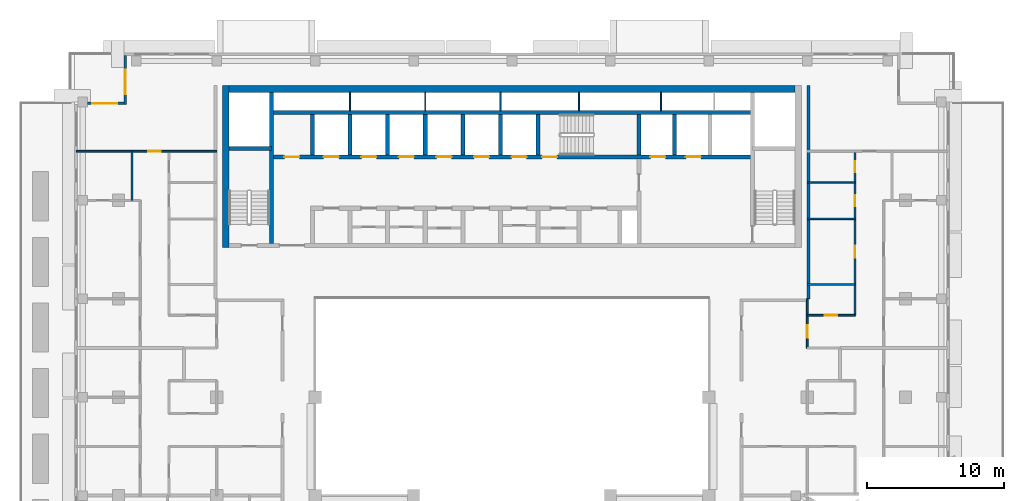
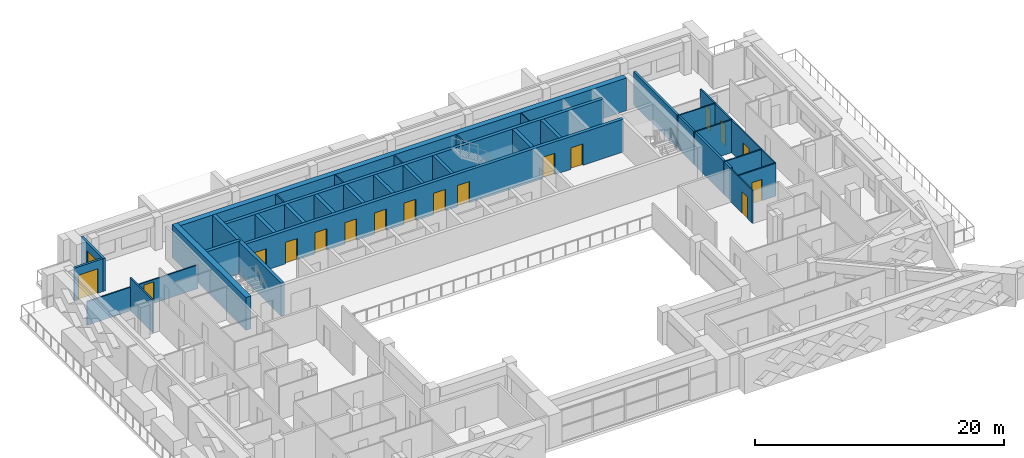
# One storey, part 10 of 19: 31 walls, 18 doors, 18 openings.
"""IFC4 building model written with IfcOpenShell, lengths in metres."""

from ifc_helpers import new_model, si_unit, direction, frame, frame_2d, origin, place, context, subcontext, project, spatial, rectangle, extrude, material, layer, layer_set, type_object, element, fill, save


model = new_model("IFC4")

# Units and contexts
model_context = context("Model", 3, precision=1e-05, world=origin(), true_north=direction((0.0, 1.0)))
body_context = subcontext(model_context, "Body", "Model", "MODEL_VIEW")
ifc_project = project(units=[si_unit("LENGTHUNIT", "METRE"), si_unit("AREAUNIT", "SQUARE_METRE"), si_unit("VOLUMEUNIT", "CUBIC_METRE"), si_unit("PLANEANGLEUNIT", "RADIAN"), si_unit("MASSUNIT", "GRAM", prefix="KILO")], contexts=[model_context])

# Site, building, storey
site_placement = place(None, origin())
site = spatial("IfcSite", under=ifc_project, at=site_placement, CompositionType="ELEMENT")
building_placement = place(site_placement, origin())
building = spatial("IfcBuilding", under=site, at=building_placement, Name="Saffron Iwan Residences", CompositionType="ELEMENT")
storey_placement = place(building_placement, frame((0.0, 0.0, 211.5)))
storey = spatial("IfcBuildingStorey", under=building, at=storey_placement, Name="L56", CompositionType="ELEMENT", Elevation=211.5)

# Wall, opening, door
ifc_material_1 = material(Name="Concrete C40/50", Category="concrete")
ifc_layer_1 = layer(ifc_material_1, 0.199951171875)
ifc_layer_set_1 = layer_set([ifc_layer_1], Name="Concrete C40/50")
wall_type_1 = type_object("IfcWallType", Name="EXTERNAL WALL 200", PredefinedType="SOLIDWALL", material=ifc_layer_set_1)
wall_1_placement = place(storey_placement, frame((22.10009765625, 80.199951171875, 0.0), z_axis=(0.0, 0.0, 1.0), x_axis=(0.0, -1.0, 0.0)))
wall_1 = element("IfcWall", 1, at=wall_1_placement, inside=storey, type_object=wall_type_1, Name="External wall L56 F6.0", PredefinedType="SOLIDWALL", context=body_context, shape_type="SweptSolid", body=[
    extrude(rectangle(XDim=3.599853515625, YDim=0.199951171875, at=frame_2d((1.7998046875, 0.0))), origin(), (0.0, 0.0, 1.0), 3.219970703125),
])
opening_1_placement = place(wall_1_placement, frame((1.02490234375, 0.0, 0.0)))
opening_1 = element("IfcOpeningElement", 2, at=opening_1_placement, cuts=wall_1, Name="Opening BD1", PredefinedType="OPENING", context=body_context, shape_type="SweptSolid", body=[
    extrude(rectangle(XDim=1.800048828125, YDim=2.39990234375, at=frame_2d((0.89990234375, 1.199951171875))), frame((0.0, 0.10986328125, 0.0), z_axis=(0.0, -1.0, 0.0), x_axis=(1.0, 0.0, 0.0)), (0.0, 0.0, 1.0), 0.219970703125),
])
ifc_material_2 = material(Name="Clear glass, laminated double glazed", Category="glass")
door_type_1 = type_object("IfcDoorType", Name="BALCONY DOOR 1800 x 2400", OperationType="DOUBLE_DOOR_SLIDING", PredefinedType="DOOR", material=ifc_material_2)
door_1_placement = place(opening_1_placement, origin())
door_1 = element("IfcDoor", 3, at=door_1_placement, inside=storey, type_object=door_type_1, Name="Balcony door L56 F6.0", OperationType="DOUBLE_DOOR_SLIDING", OverallHeight=2.39990234375, OverallWidth=1.800048828125, PredefinedType="DOOR", context=body_context, shape_type="SweptSolid", body=[
    extrude(rectangle(XDim=1.800048828125, YDim=2.39990234375, at=frame_2d((0.89990234375, 1.199951171875))), frame((0.0, 0.02490234375, 0.0), z_axis=(0.0, -1.0, 0.0), x_axis=(1.0, 0.0, 0.0)), (0.0, 0.0, 1.0), 0.050048828125),
])
fill(opening_1, door_1)

wall_2_placement = place(storey_placement, frame((22.0, 76.699951171875, 0.0), z_axis=(0.0, 0.0, 1.0), x_axis=(-1.0, 0.0, 0.0)))
wall_2 = element("IfcWall", 4, at=wall_2_placement, inside=storey, type_object=wall_type_1, Name="External wall L56 F7.0", PredefinedType="SOLIDWALL", context=body_context, shape_type="SweptSolid", body=[
    extrude(rectangle(XDim=2.64990234375, YDim=0.199951171875, at=frame_2d((1.324951171875, 0.0))), origin(), (0.0, 0.0, 1.0), 3.219970703125),
])
opening_2_placement = place(wall_2_placement, frame((0.5, 0.0, 0.0)))
opening_2 = element("IfcOpeningElement", 5, at=opening_2_placement, cuts=wall_2, Name="Opening BD1", PredefinedType="OPENING", context=body_context, shape_type="SweptSolid", body=[
    extrude(rectangle(XDim=1.800048828125, YDim=2.39990234375, at=frame_2d((0.89990234375, 1.199951171875))), frame((0.0, 0.10986328125, 0.0), z_axis=(0.0, -1.0, 0.0), x_axis=(1.0, 0.0, 0.0)), (0.0, 0.0, 1.0), 0.219970703125),
])
door_2_placement = place(opening_2_placement, origin())
door_2 = element("IfcDoor", 6, at=door_2_placement, inside=storey, type_object=door_type_1, Name="Balcony door L56 F7.0", OperationType="DOUBLE_DOOR_SLIDING", OverallHeight=2.39990234375, OverallWidth=1.800048828125, PredefinedType="DOOR", context=body_context, shape_type="SweptSolid", body=[
    extrude(rectangle(XDim=1.800048828125, YDim=2.39990234375, at=frame_2d((0.89990234375, 1.199951171875))), frame((0.0, 0.02490234375, 0.0), z_axis=(0.0, -1.0, 0.0), x_axis=(1.0, 0.0, 0.0)), (0.0, 0.0, 1.0), 0.050048828125),
])
fill(opening_2, door_2)

ifc_material_3 = material(Name="Gypsum board partition")
ifc_layer_2 = layer(ifc_material_3, 0.1201171875)
ifc_layer_set_2 = layer_set([ifc_layer_2], Name="Gypsum board partition")
wall_type_2 = type_object("IfcWallType", Name="Flat partition 120", PredefinedType="PARTITIONING", material=ifc_layer_set_2)
wall_3_placement = place(storey_placement, frame((72.0, 61.199951171875, 0.0), z_axis=(0.0, 0.0, 1.0), x_axis=(1.0, 0.0, 0.0)))
wall_3 = element("IfcWall", 7, at=wall_3_placement, inside=storey, type_object=wall_type_2, Name="W-L56-PART-h61.2-72", PredefinedType="PARTITIONING", context=body_context, shape_type="SweptSolid", body=[
    extrude(rectangle(XDim=3.5, YDim=0.1201171875, at=frame_2d((1.75, 0.0))), origin(), (0.0, 0.0, 1.0), 3.219970703125),
])
opening_3_placement = place(wall_3_placement, frame((1.300048828125, 0.0, 0.0)))
opening_3 = element("IfcOpeningElement", 8, at=opening_3_placement, cuts=wall_3, Name="Opening FD2", PredefinedType="OPENING", context=body_context, shape_type="SweptSolid", body=[
    extrude(rectangle(XDim=0.89990234375, YDim=2.10009765625, at=frame_2d((0.449951171875, 1.050048828125))), frame((0.0, 0.070068359375, 0.0), z_axis=(0.0, -1.0, 0.0), x_axis=(1.0, 0.0, 0.0)), (0.0, 0.0, 1.0), 0.14013671875),
])
ifc_material_4 = material(Name="Timber door", Category="wood")
door_type_2 = type_object("IfcDoorType", Name="Flat door 900", OperationType="NOTDEFINED", PredefinedType="DOOR", material=ifc_material_4)
door_3_placement = place(opening_3_placement, origin())
door_3 = element("IfcDoor", 9, at=door_3_placement, inside=storey, type_object=door_type_2, Name="Door L56-036", OperationType="SINGLE_SWING_LEFT", OverallHeight=2.10009765625, OverallWidth=0.89990234375, PredefinedType="DOOR", context=body_context, shape_type="SweptSolid", body=[
    extrude(rectangle(XDim=0.89990234375, YDim=2.10009765625, at=frame_2d((0.449951171875, 1.050048828125))), frame((0.0, 0.02490234375, 0.0), z_axis=(0.0, -1.0, 0.0), x_axis=(1.0, 0.0, 0.0)), (0.0, 0.0, 1.0), 0.050048828125),
])
fill(opening_3, door_3)

# Walls
for number, where, z_axis, x_axis, name in (
    (10, (72.0, 63.449951171875, 0.0), (0.0, 0.0, 1.0), (1.0, 0.0, 0.0), "W-L56-PART-h63.45-72"),
    (11, (72.0, 68.25, 0.0), (0.0, 0.0, 1.0), (1.0, 0.0, 0.0), "W-L56-PART-h68.25-72"),
    (12, (72.0, 70.89990234375, 0.0), (0.0, 0.0, 1.0), (1.0, 0.0, 0.0), "W-L56-PART-h70.9-72"),
):
    element("IfcWall", number, at=place(storey_placement, frame(where, z_axis=z_axis, x_axis=x_axis)), inside=storey, type_object=wall_type_2, Name=name, PredefinedType="PARTITIONING", context=body_context, shape_type="SweptSolid", body=[
        extrude(rectangle(XDim=3.5, YDim=0.1201171875, at=frame_2d((1.75, 0.0))), origin(), (0.0, 0.0, 1.0), 3.219970703125),
    ])

# Wall, opening, door
wall_4_placement = place(storey_placement, frame((18.52490234375, 73.199951171875, 0.0), z_axis=(0.0, 0.0, 1.0), x_axis=(1.0, 0.0, 0.0)))
wall_4 = element("IfcWall", 13, at=wall_4_placement, inside=storey, type_object=wall_type_2, Name="W-L56-PART-h73.2-18.525", PredefinedType="PARTITIONING", context=body_context, shape_type="SweptSolid", body=[
    extrude(rectangle(XDim=10.275146484375, YDim=0.1201171875, at=frame_2d((5.1376953125, 0.0))), origin(), (0.0, 0.0, 1.0), 2.320068359375),
])
opening_4_placement = place(wall_4_placement, frame((5.27490234375, 0.0, 0.0)))
opening_4 = element("IfcOpeningElement", 14, at=opening_4_placement, cuts=wall_4, Name="Opening FD2", PredefinedType="OPENING", context=body_context, shape_type="SweptSolid", body=[
    extrude(rectangle(XDim=0.89990234375, YDim=2.10009765625, at=frame_2d((0.449951171875, 1.050048828125))), frame((0.0, 0.070068359375, 0.0), z_axis=(0.0, -1.0, 0.0), x_axis=(1.0, 0.0, 0.0)), (0.0, 0.0, 1.0), 0.14013671875),
])
door_4_placement = place(opening_4_placement, origin())
door_4 = element("IfcDoor", 15, at=door_4_placement, inside=storey, type_object=door_type_2, Name="Door L56-025", OperationType="SINGLE_SWING_LEFT", OverallHeight=2.10009765625, OverallWidth=0.89990234375, PredefinedType="DOOR", context=body_context, shape_type="SweptSolid", body=[
    extrude(rectangle(XDim=0.89990234375, YDim=2.10009765625, at=frame_2d((0.449951171875, 1.050048828125))), frame((0.0, 0.02490234375, 0.0), z_axis=(0.0, -1.0, 0.0), x_axis=(1.0, 0.0, 0.0)), (0.0, 0.0, 1.0), 0.050048828125),
])
fill(opening_4, door_4)

# Wall
wall_5_placement = place(storey_placement, frame((22.60009765625, 69.60009765625, 0.0), z_axis=(0.0, 0.0, 1.0), x_axis=(0.0, 1.0, 0.0)))
element("IfcWall", 16, at=wall_5_placement, inside=storey, type_object=wall_type_2, Name="W-L56-PART-v22.6-69.6", PredefinedType="PARTITIONING", context=body_context, shape_type="SweptSolid", body=[
    extrude(rectangle(XDim=3.599853515625, YDim=0.1201171875, at=frame_2d((1.7998046875, 0.0))), origin(), (0.0, 0.0, 1.0), 3.219970703125),
])

# Wall, opening, door
wall_6_placement = place(storey_placement, frame((72.0, 58.800048828125, 0.0), z_axis=(0.0, 0.0, 1.0), x_axis=(0.0, 1.0, 0.0)))
wall_6 = element("IfcWall", 17, at=wall_6_placement, inside=storey, type_object=wall_type_2, Name="W-L56-PART-v72-58.8", PredefinedType="PARTITIONING", context=body_context, shape_type="SweptSolid", body=[
    extrude(rectangle(XDim=3.599853515625, YDim=0.1201171875, at=frame_2d((1.7998046875, 0.0))), origin(), (0.0, 0.0, 1.0), 3.219970703125),
])
opening_5_placement = place(wall_6_placement, frame((0.75, 0.0, 0.0)))
opening_5 = element("IfcOpeningElement", 18, at=opening_5_placement, cuts=wall_6, Name="Opening FD2", PredefinedType="OPENING", context=body_context, shape_type="SweptSolid", body=[
    extrude(rectangle(XDim=0.89990234375, YDim=2.10009765625, at=frame_2d((0.449951171875, 1.050048828125))), frame((0.0, 0.070068359375, 0.0), z_axis=(0.0, -1.0, 0.0), x_axis=(1.0, 0.0, 0.0)), (0.0, 0.0, 1.0), 0.14013671875),
])
door_5_placement = place(opening_5_placement, origin())
door_5 = element("IfcDoor", 19, at=door_5_placement, inside=storey, type_object=door_type_2, Name="Door L56-030", OperationType="SINGLE_SWING_LEFT", OverallHeight=2.10009765625, OverallWidth=0.89990234375, PredefinedType="DOOR", context=body_context, shape_type="SweptSolid", body=[
    extrude(rectangle(XDim=0.89990234375, YDim=2.10009765625, at=frame_2d((0.449951171875, 1.050048828125))), frame((0.0, 0.02490234375, 0.0), z_axis=(0.0, -1.0, 0.0), x_axis=(1.0, 0.0, 0.0)), (0.0, 0.0, 1.0), 0.050048828125),
])
fill(opening_5, door_5)

# Wall, openings, doors
wall_7_placement = place(storey_placement, frame((75.5, 61.199951171875, 0.0), z_axis=(0.0, 0.0, 1.0), x_axis=(0.0, 1.0, 0.0)))
wall_7 = element("IfcWall", 20, at=wall_7_placement, inside=storey, type_object=wall_type_2, Name="W-L56-PART-v75.5-61.2", PredefinedType="PARTITIONING", context=body_context, shape_type="SweptSolid", body=[
    extrude(rectangle(XDim=12.0, YDim=0.1201171875, at=frame_2d((6.0, 0.0))), origin(), (0.0, 0.0, 1.0), 3.219970703125),
])
opening_6_placement = place(wall_7_placement, frame((4.199951171875, 0.0, 0.0)))
opening_6 = element("IfcOpeningElement", 21, at=opening_6_placement, cuts=wall_7, Name="Opening FD2", PredefinedType="OPENING", context=body_context, shape_type="SweptSolid", body=[
    extrude(rectangle(XDim=0.89990234375, YDim=2.10009765625, at=frame_2d((0.449951171875, 1.050048828125))), frame((0.0, 0.070068359375, 0.0), z_axis=(0.0, -1.0, 0.0), x_axis=(1.0, 0.0, 0.0)), (0.0, 0.0, 1.0), 0.14013671875),
])
opening_7_placement = place(wall_7_placement, frame((7.97509765625, 0.0, 0.0)))
opening_7 = element("IfcOpeningElement", 22, at=opening_7_placement, cuts=wall_7, Name="Opening FD3", PredefinedType="OPENING", context=body_context, shape_type="SweptSolid", body=[
    extrude(rectangle(XDim=0.800048828125, YDim=2.10009765625, at=frame_2d((0.39990234375, 1.050048828125))), frame((0.0, 0.070068359375, 0.0), z_axis=(0.0, -1.0, 0.0), x_axis=(1.0, 0.0, 0.0)), (0.0, 0.0, 1.0), 0.14013671875),
])
opening_8_placement = place(wall_7_placement, frame((10.449951171875, 0.0, 0.0)))
opening_8 = element("IfcOpeningElement", 23, at=opening_8_placement, cuts=wall_7, Name="Opening FD3", PredefinedType="OPENING", context=body_context, shape_type="SweptSolid", body=[
    extrude(rectangle(XDim=0.800048828125, YDim=2.10009765625, at=frame_2d((0.39990234375, 1.050048828125))), frame((0.0, 0.070068359375, 0.0), z_axis=(0.0, -1.0, 0.0), x_axis=(1.0, 0.0, 0.0)), (0.0, 0.0, 1.0), 0.14013671875),
])
door_type_3 = type_object("IfcDoorType", Name="Bathroom door 800", OperationType="NOTDEFINED", PredefinedType="DOOR", material=ifc_material_4)
door_6_placement = place(opening_7_placement, origin())
door_6 = element("IfcDoor", 24, at=door_6_placement, inside=storey, type_object=door_type_3, Name="Door L56-038", OperationType="SINGLE_SWING_RIGHT", OverallHeight=2.10009765625, OverallWidth=0.800048828125, PredefinedType="DOOR", context=body_context, shape_type="SweptSolid", body=[
    extrude(rectangle(XDim=0.800048828125, YDim=2.10009765625, at=frame_2d((0.39990234375, 1.050048828125))), frame((0.0, 0.02490234375, 0.0), z_axis=(0.0, -1.0, 0.0), x_axis=(1.0, 0.0, 0.0)), (0.0, 0.0, 1.0), 0.050048828125),
])
fill(opening_7, door_6)
door_7_placement = place(opening_8_placement, origin())
door_7 = element("IfcDoor", 25, at=door_7_placement, inside=storey, type_object=door_type_3, Name="Door L56-039", OperationType="SINGLE_SWING_LEFT", OverallHeight=2.10009765625, OverallWidth=0.800048828125, PredefinedType="DOOR", context=body_context, shape_type="SweptSolid", body=[
    extrude(rectangle(XDim=0.800048828125, YDim=2.10009765625, at=frame_2d((0.39990234375, 1.050048828125))), frame((0.0, 0.02490234375, 0.0), z_axis=(0.0, -1.0, 0.0), x_axis=(1.0, 0.0, 0.0)), (0.0, 0.0, 1.0), 0.050048828125),
])
fill(opening_8, door_7)
door_8_placement = place(opening_6_placement, origin())
door_8 = element("IfcDoor", 26, at=door_8_placement, inside=storey, type_object=door_type_2, Name="Door L56-037", OperationType="SINGLE_SWING_LEFT", OverallHeight=2.10009765625, OverallWidth=0.89990234375, PredefinedType="DOOR", context=body_context, shape_type="SweptSolid", body=[
    extrude(rectangle(XDim=0.89990234375, YDim=2.10009765625, at=frame_2d((0.449951171875, 1.050048828125))), frame((0.0, 0.02490234375, 0.0), z_axis=(0.0, -1.0, 0.0), x_axis=(1.0, 0.0, 0.0)), (0.0, 0.0, 1.0), 0.050048828125),
])
fill(opening_6, door_8)

# Walls
ifc_material_5 = material(Name="Fire-rated gypsum board wall")
ifc_layer_3 = layer(ifc_material_5, 0.199951171875)
ifc_layer_set_3 = layer_set([ifc_layer_3], Name="Fire-rated gypsum board wall")
wall_type_3 = type_object("IfcWallType", Name="Gallery wall 200", PredefinedType="SOLIDWALL", material=ifc_layer_set_3)
wall_8_placement = place(storey_placement, frame((72.10009765625, 62.39990234375, 0.0), z_axis=(0.0, 0.0, 1.0), x_axis=(0.0, 1.0, 0.0)))
element("IfcWall", 27, at=wall_8_placement, inside=storey, type_object=wall_type_3, Name="W-L56-CORR-v72-62.4", PredefinedType="SOLIDWALL", context=body_context, shape_type="SweptSolid", body=[
    extrude(rectangle(XDim=15.60009765625, YDim=0.199951171875, at=frame_2d((7.800048828125, 0.0))), origin(), (0.0, 0.0, 1.0), 3.219970703125),
])
ifc_material_6 = material(Name="Fire-rated plasterboard partition")
ifc_layer_4 = layer(ifc_material_6, 0.10009765625)
ifc_layer_set_4 = layer_set([ifc_layer_4], Name="Fire-rated plasterboard partition")
wall_type_4 = type_object("IfcWallType", Name="Riser partition 100", PredefinedType="PARTITIONING", material=ifc_layer_set_4)
for number, where, z_axis, x_axis, name in (
    (28, (38.550048828125, 76.175048828125, 0.0), (0.0, 0.0, 1.0), (0.0, 1.0, 0.0), "Core partition P06"),
    (29, (44.050048828125, 76.175048828125, 0.0), (0.0, 0.0, 1.0), (0.0, 1.0, 0.0), "Core partition P07"),
    (30, (49.550048828125, 76.175048828125, 0.0), (0.0, 0.0, 1.0), (0.0, 1.0, 0.0), "Core partition P08"),
    (31, (55.300048828125, 76.175048828125, 0.0), (0.0, 0.0, 1.0), (0.0, 1.0, 0.0), "Core partition P09"),
    (32, (61.300048828125, 76.175048828125, 0.0), (0.0, 0.0, 1.0), (0.0, 1.0, 0.0), "Core partition P10"),
):
    element("IfcWall", number, at=place(storey_placement, frame(where, z_axis=z_axis, x_axis=x_axis)), inside=storey, type_object=wall_type_4, Name=name, PredefinedType="PARTITIONING", context=body_context, shape_type="SweptSolid", body=[
        extrude(rectangle(XDim=1.324951171875, YDim=0.10009765625, at=frame_2d((0.66259765625, 0.0))), origin(), (0.0, 0.0, 1.0), 3.219970703125),
    ])

# Wall, openings, doors
ifc_layer_5 = layer(ifc_material_1, 0.300048828125)
ifc_layer_set_5 = layer_set([ifc_layer_5], Name="Concrete C40/50")
wall_type_5 = type_object("IfcWallType", Name="WALL CORE 300 C40/50 3220 HIGH", PredefinedType="SHEAR", material=ifc_layer_set_5)
wall_9_placement = place(storey_placement, frame((32.800048828125, 72.77490234375, 0.0), z_axis=(0.0, 0.0, 1.0), x_axis=(1.0, 0.0, 0.0)))
wall_9 = element("IfcWall", 33, at=wall_9_placement, inside=storey, type_object=wall_type_5, Name="Core wall", PredefinedType="SHEAR", context=body_context, shape_type="SweptSolid", body=[
    extrude(rectangle(XDim=35.199951171875, YDim=0.300048828125, at=frame_2d((17.60009765625, 0.0))), origin(), (0.0, 0.0, 1.0), 3.219970703125),
])
opening_9_placement = place(wall_9_placement, frame((19.800048828125, 0.0, 0.0)))
opening_9 = element("IfcOpeningElement", 34, at=opening_9_placement, cuts=wall_9, Name="Opening SD", PredefinedType="OPENING", context=body_context, shape_type="SweptSolid", body=[
    extrude(rectangle(XDim=1.10009765625, YDim=2.10009765625, at=frame_2d((0.550048828125, 1.050048828125))), frame((0.0, 0.16015625, 0.0), z_axis=(0.0, -1.0, 0.0), x_axis=(1.0, 0.0, 0.0)), (0.0, 0.0, 1.0), 0.320068359375),
])
opening_10_placement = place(wall_9_placement, frame((27.72509765625, 0.0, 0.0)))
opening_10 = element("IfcOpeningElement", 35, at=opening_10_placement, cuts=wall_9, Name="Opening LD", PredefinedType="OPENING", context=body_context, shape_type="SweptSolid", body=[
    extrude(rectangle(XDim=1.10009765625, YDim=2.10009765625, at=frame_2d((0.550048828125, 1.050048828125))), frame((0.0, 0.16015625, 0.0), z_axis=(0.0, -1.0, 0.0), x_axis=(1.0, 0.0, 0.0)), (0.0, 0.0, 1.0), 0.320068359375),
])
opening_11_placement = place(wall_9_placement, frame((30.324951171875, 0.0, 0.0)))
opening_11 = element("IfcOpeningElement", 36, at=opening_11_placement, cuts=wall_9, Name="Opening LD", PredefinedType="OPENING", context=body_context, shape_type="SweptSolid", body=[
    extrude(rectangle(XDim=1.10009765625, YDim=2.10009765625, at=frame_2d((0.550048828125, 1.050048828125))), frame((0.0, 0.16015625, 0.0), z_axis=(0.0, -1.0, 0.0), x_axis=(1.0, 0.0, 0.0)), (0.0, 0.0, 1.0), 0.320068359375),
])
opening_12_placement = place(wall_9_placement, frame((3.824951171875, 0.0, 0.0)))
opening_12 = element("IfcOpeningElement", 37, at=opening_12_placement, cuts=wall_9, Name="Opening LD", PredefinedType="OPENING", context=body_context, shape_type="SweptSolid", body=[
    extrude(rectangle(XDim=1.10009765625, YDim=2.10009765625, at=frame_2d((0.550048828125, 1.050048828125))), frame((0.0, 0.16015625, 0.0), z_axis=(0.0, -1.0, 0.0), x_axis=(1.0, 0.0, 0.0)), (0.0, 0.0, 1.0), 0.320068359375),
])
opening_13_placement = place(wall_9_placement, frame((6.574951171875, 0.0, 0.0)))
opening_13 = element("IfcOpeningElement", 38, at=opening_13_placement, cuts=wall_9, Name="Opening LD", PredefinedType="OPENING", context=body_context, shape_type="SweptSolid", body=[
    extrude(rectangle(XDim=1.10009765625, YDim=2.10009765625, at=frame_2d((0.550048828125, 1.050048828125))), frame((0.0, 0.16015625, 0.0), z_axis=(0.0, -1.0, 0.0), x_axis=(1.0, 0.0, 0.0)), (0.0, 0.0, 1.0), 0.320068359375),
])
opening_14_placement = place(wall_9_placement, frame((9.324951171875, 0.0, 0.0)))
opening_14 = element("IfcOpeningElement", 39, at=opening_14_placement, cuts=wall_9, Name="Opening LD", PredefinedType="OPENING", context=body_context, shape_type="SweptSolid", body=[
    extrude(rectangle(XDim=1.10009765625, YDim=2.10009765625, at=frame_2d((0.550048828125, 1.050048828125))), frame((0.0, 0.16015625, 0.0), z_axis=(0.0, -1.0, 0.0), x_axis=(1.0, 0.0, 0.0)), (0.0, 0.0, 1.0), 0.320068359375),
])
opening_15_placement = place(wall_9_placement, frame((12.074951171875, 0.0, 0.0)))
opening_15 = element("IfcOpeningElement", 40, at=opening_15_placement, cuts=wall_9, Name="Opening LD", PredefinedType="OPENING", context=body_context, shape_type="SweptSolid", body=[
    extrude(rectangle(XDim=1.10009765625, YDim=2.10009765625, at=frame_2d((0.550048828125, 1.050048828125))), frame((0.0, 0.16015625, 0.0), z_axis=(0.0, -1.0, 0.0), x_axis=(1.0, 0.0, 0.0)), (0.0, 0.0, 1.0), 0.320068359375),
])
opening_16_placement = place(wall_9_placement, frame((14.824951171875, 0.0, 0.0)))
opening_16 = element("IfcOpeningElement", 41, at=opening_16_placement, cuts=wall_9, Name="Opening LD", PredefinedType="OPENING", context=body_context, shape_type="SweptSolid", body=[
    extrude(rectangle(XDim=1.10009765625, YDim=2.10009765625, at=frame_2d((0.550048828125, 1.050048828125))), frame((0.0, 0.16015625, 0.0), z_axis=(0.0, -1.0, 0.0), x_axis=(1.0, 0.0, 0.0)), (0.0, 0.0, 1.0), 0.320068359375),
])
opening_17_placement = place(wall_9_placement, frame((17.574951171875, 0.0, 0.0)))
opening_17 = element("IfcOpeningElement", 42, at=opening_17_placement, cuts=wall_9, Name="Opening LD", PredefinedType="OPENING", context=body_context, shape_type="SweptSolid", body=[
    extrude(rectangle(XDim=1.10009765625, YDim=2.10009765625, at=frame_2d((0.550048828125, 1.050048828125))), frame((0.0, 0.16015625, 0.0), z_axis=(0.0, -1.0, 0.0), x_axis=(1.0, 0.0, 0.0)), (0.0, 0.0, 1.0), 0.320068359375),
])
opening_18_placement = place(wall_9_placement, frame((0.949951171875, 0.0, 0.0)))
opening_18 = element("IfcOpeningElement", 43, at=opening_18_placement, cuts=wall_9, Name="Opening SR", PredefinedType="OPENING", context=body_context, shape_type="SweptSolid", body=[
    extrude(rectangle(XDim=1.10009765625, YDim=2.10009765625, at=frame_2d((0.550048828125, 1.050048828125))), frame((0.0, 0.16015625, 0.0), z_axis=(0.0, -1.0, 0.0), x_axis=(1.0, 0.0, 0.0)), (0.0, 0.0, 1.0), 0.320068359375),
])
ifc_material_7 = material(Name="Steel fire door", Category="steel")
door_type_4 = type_object("IfcDoorType", Name="Lift landing door 1100", OperationType="SLIDING_TO_LEFT", PredefinedType="DOOR", material=ifc_material_7)
door_9_placement = place(opening_10_placement, origin())
door_9 = element("IfcDoor", 44, at=door_9_placement, inside=storey, type_object=door_type_4, Name="Landing doors FF1", OperationType="SLIDING_TO_LEFT", OverallHeight=2.10009765625, OverallWidth=1.10009765625, PredefinedType="DOOR", context=body_context, shape_type="SweptSolid", body=[
    extrude(rectangle(XDim=1.10009765625, YDim=2.10009765625, at=frame_2d((0.550048828125, 1.050048828125))), frame((0.0, 0.02490234375, 0.0), z_axis=(0.0, -1.0, 0.0), x_axis=(1.0, 0.0, 0.0)), (0.0, 0.0, 1.0), 0.050048828125),
])
fill(opening_10, door_9)
door_10_placement = place(opening_11_placement, origin())
door_10 = element("IfcDoor", 45, at=door_10_placement, inside=storey, type_object=door_type_4, Name="Landing doors FF2", OperationType="SLIDING_TO_LEFT", OverallHeight=2.10009765625, OverallWidth=1.10009765625, PredefinedType="DOOR", context=body_context, shape_type="SweptSolid", body=[
    extrude(rectangle(XDim=1.10009765625, YDim=2.10009765625, at=frame_2d((0.550048828125, 1.050048828125))), frame((0.0, 0.02490234375, 0.0), z_axis=(0.0, -1.0, 0.0), x_axis=(1.0, 0.0, 0.0)), (0.0, 0.0, 1.0), 0.050048828125),
])
fill(opening_11, door_10)
door_11_placement = place(opening_12_placement, origin())
door_11 = element("IfcDoor", 46, at=door_11_placement, inside=storey, type_object=door_type_4, Name="Landing doors HR1", OperationType="SLIDING_TO_LEFT", OverallHeight=2.10009765625, OverallWidth=1.10009765625, PredefinedType="DOOR", context=body_context, shape_type="SweptSolid", body=[
    extrude(rectangle(XDim=1.10009765625, YDim=2.10009765625, at=frame_2d((0.550048828125, 1.050048828125))), frame((0.0, 0.02490234375, 0.0), z_axis=(0.0, -1.0, 0.0), x_axis=(1.0, 0.0, 0.0)), (0.0, 0.0, 1.0), 0.050048828125),
])
fill(opening_12, door_11)
door_12_placement = place(opening_13_placement, origin())
door_12 = element("IfcDoor", 47, at=door_12_placement, inside=storey, type_object=door_type_4, Name="Landing doors HR2", OperationType="SLIDING_TO_LEFT", OverallHeight=2.10009765625, OverallWidth=1.10009765625, PredefinedType="DOOR", context=body_context, shape_type="SweptSolid", body=[
    extrude(rectangle(XDim=1.10009765625, YDim=2.10009765625, at=frame_2d((0.550048828125, 1.050048828125))), frame((0.0, 0.02490234375, 0.0), z_axis=(0.0, -1.0, 0.0), x_axis=(1.0, 0.0, 0.0)), (0.0, 0.0, 1.0), 0.050048828125),
])
fill(opening_13, door_12)
door_13_placement = place(opening_14_placement, origin())
door_13 = element("IfcDoor", 48, at=door_13_placement, inside=storey, type_object=door_type_4, Name="Landing doors HR3", OperationType="SLIDING_TO_LEFT", OverallHeight=2.10009765625, OverallWidth=1.10009765625, PredefinedType="DOOR", context=body_context, shape_type="SweptSolid", body=[
    extrude(rectangle(XDim=1.10009765625, YDim=2.10009765625, at=frame_2d((0.550048828125, 1.050048828125))), frame((0.0, 0.02490234375, 0.0), z_axis=(0.0, -1.0, 0.0), x_axis=(1.0, 0.0, 0.0)), (0.0, 0.0, 1.0), 0.050048828125),
])
fill(opening_14, door_13)
door_14_placement = place(opening_15_placement, origin())
door_14 = element("IfcDoor", 49, at=door_14_placement, inside=storey, type_object=door_type_4, Name="Landing doors HR4", OperationType="SLIDING_TO_LEFT", OverallHeight=2.10009765625, OverallWidth=1.10009765625, PredefinedType="DOOR", context=body_context, shape_type="SweptSolid", body=[
    extrude(rectangle(XDim=1.10009765625, YDim=2.10009765625, at=frame_2d((0.550048828125, 1.050048828125))), frame((0.0, 0.02490234375, 0.0), z_axis=(0.0, -1.0, 0.0), x_axis=(1.0, 0.0, 0.0)), (0.0, 0.0, 1.0), 0.050048828125),
])
fill(opening_15, door_14)
door_15_placement = place(opening_16_placement, origin())
door_15 = element("IfcDoor", 50, at=door_15_placement, inside=storey, type_object=door_type_4, Name="Landing doors HR5", OperationType="SLIDING_TO_LEFT", OverallHeight=2.10009765625, OverallWidth=1.10009765625, PredefinedType="DOOR", context=body_context, shape_type="SweptSolid", body=[
    extrude(rectangle(XDim=1.10009765625, YDim=2.10009765625, at=frame_2d((0.550048828125, 1.050048828125))), frame((0.0, 0.02490234375, 0.0), z_axis=(0.0, -1.0, 0.0), x_axis=(1.0, 0.0, 0.0)), (0.0, 0.0, 1.0), 0.050048828125),
])
fill(opening_16, door_15)
door_16_placement = place(opening_17_placement, origin())
door_16 = element("IfcDoor", 51, at=door_16_placement, inside=storey, type_object=door_type_4, Name="Landing doors HR6", OperationType="SLIDING_TO_LEFT", OverallHeight=2.10009765625, OverallWidth=1.10009765625, PredefinedType="DOOR", context=body_context, shape_type="SweptSolid", body=[
    extrude(rectangle(XDim=1.10009765625, YDim=2.10009765625, at=frame_2d((0.550048828125, 1.050048828125))), frame((0.0, 0.02490234375, 0.0), z_axis=(0.0, -1.0, 0.0), x_axis=(1.0, 0.0, 0.0)), (0.0, 0.0, 1.0), 0.050048828125),
])
fill(opening_17, door_16)
door_type_5 = type_object("IfcDoorType", Name="Service door 1100", OperationType="NOTDEFINED", PredefinedType="DOOR", material=ifc_material_7)
door_17_placement = place(opening_18_placement, origin())
door_17 = element("IfcDoor", 52, at=door_17_placement, inside=storey, type_object=door_type_5, Name="Door Meter room", OperationType="SINGLE_SWING_LEFT", OverallHeight=2.10009765625, OverallWidth=1.10009765625, PredefinedType="DOOR", context=body_context, shape_type="SweptSolid", body=[
    extrude(rectangle(XDim=1.10009765625, YDim=2.10009765625, at=frame_2d((0.550048828125, 1.050048828125))), frame((0.0, 0.02490234375, 0.0), z_axis=(0.0, -1.0, 0.0), x_axis=(1.0, 0.0, 0.0)), (0.0, 0.0, 1.0), 0.050048828125),
])
fill(opening_18, door_17)
door_type_6 = type_object("IfcDoorType", Name="Stair door 1100", OperationType="NOTDEFINED", PredefinedType="DOOR", material=ifc_material_7)
door_18_placement = place(opening_9_placement, origin())
door_18 = element("IfcDoor", 53, at=door_18_placement, inside=storey, type_object=door_type_6, Name="Stair door ST-C", OperationType="SINGLE_SWING_LEFT", OverallHeight=2.10009765625, OverallWidth=1.10009765625, PredefinedType="DOOR", context=body_context, shape_type="SweptSolid", body=[
    extrude(rectangle(XDim=1.10009765625, YDim=2.10009765625, at=frame_2d((0.550048828125, 1.050048828125))), frame((0.0, 0.02490234375, 0.0), z_axis=(0.0, -1.0, 0.0), x_axis=(1.0, 0.0, 0.0)), (0.0, 0.0, 1.0), 0.050048828125),
])
fill(opening_9, door_18)

# Walls
wall_10_placement = place(storey_placement, frame((32.800048828125, 76.02490234375, 0.0), z_axis=(0.0, 0.0, 1.0), x_axis=(1.0, 0.0, 0.0)))
element("IfcWall", 54, at=wall_10_placement, inside=storey, type_object=wall_type_5, Name="Core wall", PredefinedType="SHEAR", context=body_context, shape_type="SweptSolid", body=[
    extrude(rectangle(XDim=35.199951171875, YDim=0.300048828125, at=frame_2d((17.60009765625, 0.0))), origin(), (0.0, 0.0, 1.0), 3.219970703125),
])
wall_11_placement = place(storey_placement, frame((29.699951171875, 73.39990234375, 0.0), z_axis=(0.0, 0.0, 1.0), x_axis=(1.0, 0.0, 0.0)))
element("IfcWall", 55, at=wall_11_placement, inside=storey, type_object=wall_type_5, Name="Core wall", PredefinedType="SHEAR", context=body_context, shape_type="SweptSolid", body=[
    extrude(rectangle(XDim=3.10009765625, YDim=0.300048828125, at=frame_2d((1.550048828125, 0.0))), origin(), (0.0, 0.0, 1.0), 3.219970703125),
])
wall_12_placement = place(storey_placement, frame((32.800048828125, 66.449951171875, 0.0), z_axis=(0.0, 0.0, 1.0), x_axis=(0.0, 1.0, 0.0)))
element("IfcWall", 56, at=wall_12_placement, inside=storey, type_object=wall_type_5, Name="Core wall", PredefinedType="SHEAR", context=body_context, shape_type="SweptSolid", body=[
    extrude(rectangle(XDim=11.050048828125, YDim=0.300048828125, at=frame_2d((5.52490234375, 0.0))), origin(), (0.0, 0.0, 1.0), 3.219970703125),
])
for number, where, z_axis, x_axis, name in (
    (57, (59.699951171875, 72.925048828125, 0.0), (0.0, 0.0, 1.0), (0.0, 1.0, 0.0), "Core wall"),
    (58, (35.800048828125, 72.925048828125, 0.0), (0.0, 0.0, 1.0), (0.0, 1.0, 0.0), "Core wall"),
    (59, (38.550048828125, 72.925048828125, 0.0), (0.0, 0.0, 1.0), (0.0, 1.0, 0.0), "Core wall"),
    (60, (41.300048828125, 72.925048828125, 0.0), (0.0, 0.0, 1.0), (0.0, 1.0, 0.0), "Core wall"),
    (61, (44.050048828125, 72.925048828125, 0.0), (0.0, 0.0, 1.0), (0.0, 1.0, 0.0), "Core wall"),
    (62, (46.800048828125, 72.925048828125, 0.0), (0.0, 0.0, 1.0), (0.0, 1.0, 0.0), "Core wall"),
    (63, (49.550048828125, 72.925048828125, 0.0), (0.0, 0.0, 1.0), (0.0, 1.0, 0.0), "Core wall"),
    (64, (52.300048828125, 72.925048828125, 0.0), (0.0, 0.0, 1.0), (0.0, 1.0, 0.0), "Core wall"),
    (65, (62.300048828125, 72.925048828125, 0.0), (0.0, 0.0, 1.0), (0.0, 1.0, 0.0), "Core wall"),
):
    element("IfcWall", number, at=place(storey_placement, frame(where, z_axis=z_axis, x_axis=x_axis)), inside=storey, type_object=wall_type_5, Name=name, PredefinedType="SHEAR", context=body_context, shape_type="SweptSolid", body=[
        extrude(rectangle(XDim=2.949951171875, YDim=0.300048828125, at=frame_2d((1.47509765625, 0.0))), origin(), (0.0, 0.0, 1.0), 3.219970703125),
    ])
ifc_layer_6 = layer(ifc_material_1, 0.5)
ifc_layer_set_6 = layer_set([ifc_layer_6], Name="Concrete C40/50")
wall_type_6 = type_object("IfcWallType", Name="WALL CORE 500 C40/50 3220 HIGH", PredefinedType="SHEAR", material=ifc_layer_set_6)
wall_13_placement = place(storey_placement, frame((29.449951171875, 66.14990234375, 0.0), z_axis=(0.0, 0.0, 1.0), x_axis=(0.0, 1.0, 0.0)))
element("IfcWall", 66, at=wall_13_placement, inside=storey, type_object=wall_type_6, Name="Core wall", PredefinedType="SHEAR", context=body_context, shape_type="SweptSolid", body=[
    extrude(rectangle(XDim=11.85009765625, YDim=0.5, at=frame_2d((5.925048828125, 0.0))), origin(), (0.0, 0.0, 1.0), 3.219970703125),
])
wall_14_placement = place(storey_placement, frame((29.699951171875, 77.75, 0.0), z_axis=(0.0, 0.0, 1.0), x_axis=(1.0, 0.0, 0.0)))
element("IfcWall", 67, at=wall_14_placement, inside=storey, type_object=wall_type_6, Name="Core wall", PredefinedType="SHEAR", context=body_context, shape_type="SweptSolid", body=[
    extrude(rectangle(XDim=41.400146484375, YDim=0.5, at=frame_2d((20.7001953125, 0.0))), origin(), (0.0, 0.0, 1.0), 3.219970703125),
])

save(model, "model.ifc")
